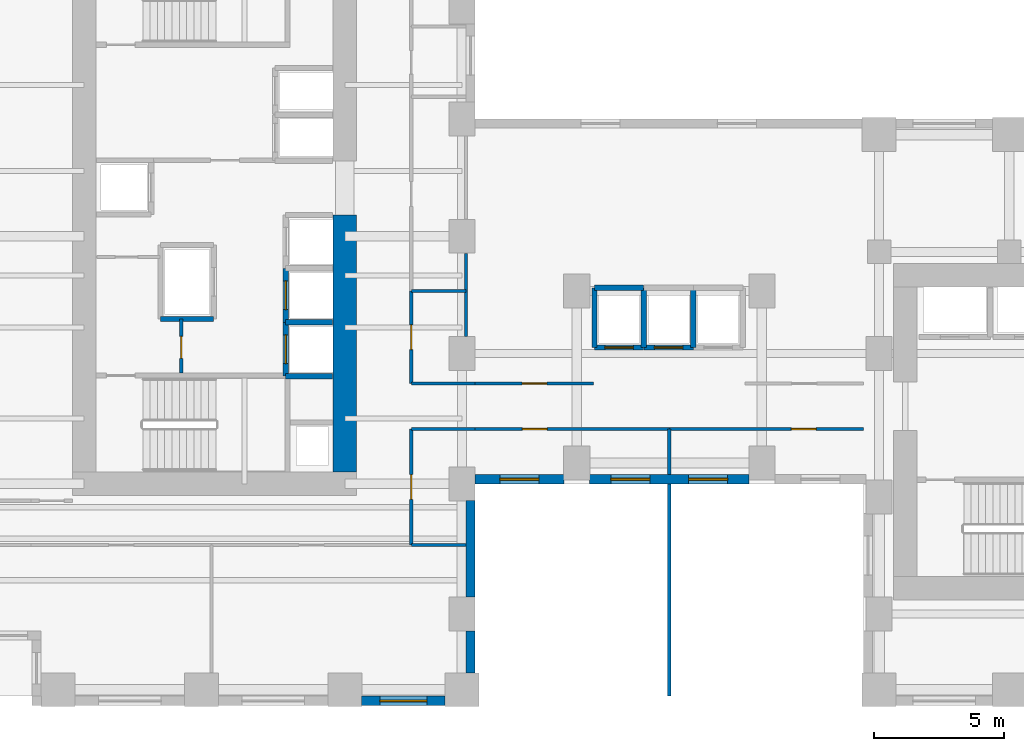
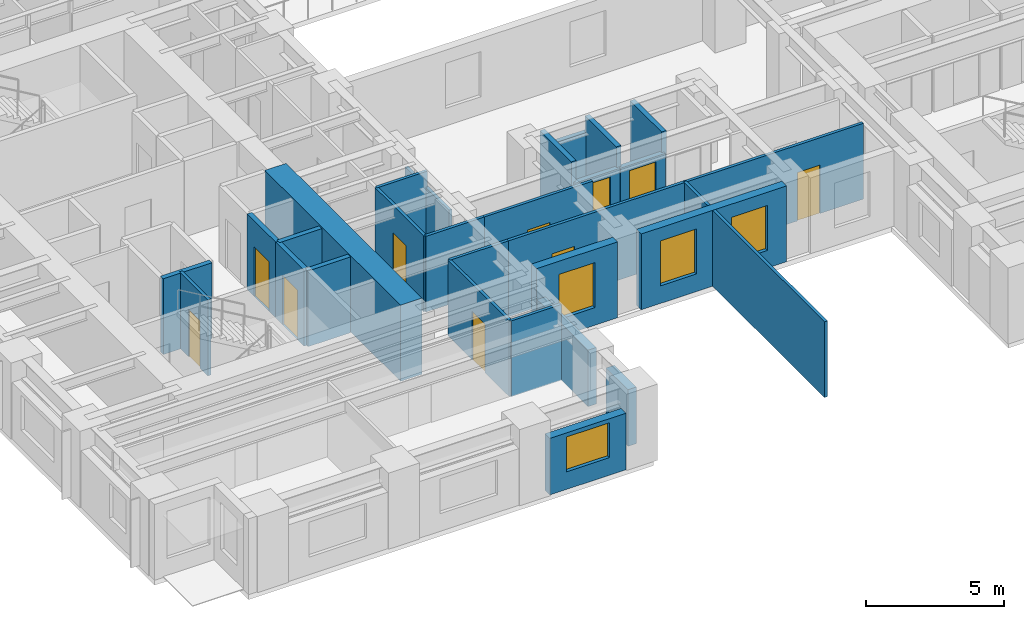
# One storey, part 4 of 11: 30 walls, 10 doors, 4 windows, 14 openings.
"""IFC4 building model written with IfcOpenShell, lengths in metres."""

from ifc_helpers import new_model, si_unit, direction, frame, frame_2d, origin, place, context, subcontext, project, spatial, rectangle, extrude, source, transform, mapped, material, layer, layer_set, type_object, element, fill, save


model = new_model("IFC4")

# Units and contexts
model_context = context("Model", 3, precision=1e-05, world=origin(), true_north=direction((0.0, 1.0)))
body_context = subcontext(model_context, "Body", "Model", "MODEL_VIEW")
ifc_project = project(units=[si_unit("LENGTHUNIT", "METRE"), si_unit("AREAUNIT", "SQUARE_METRE"), si_unit("VOLUMEUNIT", "CUBIC_METRE"), si_unit("PLANEANGLEUNIT", "RADIAN"), si_unit("MASSUNIT", "GRAM", prefix="KILO")], contexts=[model_context])

# Site, building, storey
site_placement = place(None, origin())
site = spatial("IfcSite", under=ifc_project, at=site_placement, CompositionType="ELEMENT")
building_placement = place(site_placement, origin())
building = spatial("IfcBuilding", under=site, at=building_placement, Name="Kharzan Plaza Tower", CompositionType="ELEMENT")
storey_placement = place(building_placement, frame((0.0, 0.0, 40.5)))
storey = spatial("IfcBuildingStorey", under=building, at=storey_placement, Name="L10", CompositionType="ELEMENT", Elevation=40.5)

# Wall, opening, window
ifc_material_1 = material(Name="Concrete C40/50", Category="concrete")
ifc_layer_1 = layer(ifc_material_1, 0.35009765625)
ifc_layer_set_1 = layer_set([ifc_layer_1], Name="Concrete C40/50")
wall_type_1 = type_object("IfcWallType", Name="WL-EXT-MAS-Z1", PredefinedType="SOLIDWALL", material=ifc_layer_set_1)
wall_1_placement = place(storey_placement, frame((15.14794921875, 0.175048828125, 0.0), z_axis=(0.0, 0.0, 1.0), x_axis=(1.0, 0.0, 0.0)))
wall_1 = element("IfcWall", 1, at=wall_1_placement, inside=storey, type_object=wall_type_1, Name="L10 Masonry-Frame Exterior Wall 25", PredefinedType="SOLIDWALL", context=body_context, shape_type="SweptSolid", body=[
    extrude(rectangle(XDim=3.2041015625, YDim=0.35009765625, at=frame_2d((1.60205078125, 0.0))), origin(), (0.0, 0.0, 1.0), 2.510009765625),
])
opening_1_placement = place(wall_1_placement, frame((0.701904296875, 0.0, 0.780029296875)))
opening_1 = element("IfcOpeningElement", 2, at=opening_1_placement, cuts=wall_1, Name="Opening W1", PredefinedType="OPENING", context=body_context, shape_type="SweptSolid", body=[
    extrude(rectangle(XDim=1.800048828125, YDim=1.550048828125, at=frame_2d((0.89990234375, 0.77490234375))), frame((0.0, 0.18505859375, 0.0), z_axis=(0.0, -1.0, 0.0), x_axis=(1.0, 0.0, 0.0)), (0.0, 0.0, 1.0), 0.3701171875),
])
ifc_material_2 = material(Name="Low-E Double Glazing", Category="glass")
window_type_1 = type_object("IfcWindowType", Name="WN-REC-1800x2100", PartitioningType="SINGLE_PANEL", PredefinedType="WINDOW", material=ifc_material_2)
shared_shape_1 = source(origin(), body_context, "Body", "SweptSolid", [
    extrude(rectangle(XDim=1.800048828125, YDim=1.550048828125, at=frame_2d((0.89990234375, 0.77490234375))), frame((0.0, 0.030029296875, 0.0), z_axis=(0.0, -1.0, 0.0), x_axis=(1.0, 0.0, 0.0)), (0.0, 0.0, 1.0), 0.06005859375),
])
window_1_placement = place(opening_1_placement, origin())
window_1 = element("IfcWindow", 3, at=window_1_placement, inside=storey, type_object=window_type_1, Name="L10 Recessed Solar-Control Window 25-1", OverallHeight=1.550048828125, OverallWidth=1.800048828125, PartitioningType="SINGLE_PANEL", PredefinedType="WINDOW", context=body_context, shape_type="MappedRepresentation", body=[
    mapped(shared_shape_1, transform((0.0, 0.0, 0.0), x_axis=(1.0, 0.0, 0.0), y_axis=(0.0, 1.0, 0.0), z_axis=(0.0, 0.0, 1.0))),
])
fill(opening_1, window_1)

wall_2_placement = place(storey_placement, frame((19.498046875, 8.675048828125, 0.0), z_axis=(0.0, 0.0, 1.0), x_axis=(1.0, 0.0, 0.0)))
wall_2 = element("IfcWall", 4, at=wall_2_placement, inside=storey, type_object=wall_type_1, Name="L10 Masonry-Frame Exterior Wall 28", PredefinedType="SOLIDWALL", context=body_context, shape_type="SweptSolid", body=[
    extrude(rectangle(XDim=3.404052734375, YDim=0.35009765625, at=frame_2d((1.7021484375, 0.0))), origin(), (0.0, 0.0, 1.0), 3.364990234375),
])
opening_2_placement = place(wall_2_placement, frame((0.951904296875, 0.0, 0.780029296875)))
opening_2 = element("IfcOpeningElement", 5, at=opening_2_placement, cuts=wall_2, Name="Opening W5", PredefinedType="OPENING", context=body_context, shape_type="SweptSolid", body=[
    extrude(rectangle(XDim=1.5, YDim=2.0, at=frame_2d((0.75, 1.0))), frame((0.0, 0.18505859375, 0.0), z_axis=(0.0, -1.0, 0.0), x_axis=(1.0, 0.0, 0.0)), (0.0, 0.0, 1.0), 0.3701171875),
])
window_type_2 = type_object("IfcWindowType", Name="WN-SLT-1500x2000", PartitioningType="SINGLE_PANEL", PredefinedType="WINDOW", material=ifc_material_2)
shared_shape_2 = source(origin(), body_context, "Body", "SweptSolid", [
    extrude(rectangle(XDim=1.5, YDim=2.0, at=frame_2d((0.75, 1.0))), frame((0.0, 0.030029296875, 0.0), z_axis=(0.0, -1.0, 0.0), x_axis=(1.0, 0.0, 0.0)), (0.0, 0.0, 1.0), 0.06005859375),
])
window_2_placement = place(opening_2_placement, origin())
window_2 = element("IfcWindow", 6, at=window_2_placement, inside=storey, type_object=window_type_2, Name="L10 Recessed Solar-Control Window 28-1", OverallHeight=2.0, OverallWidth=1.5, PartitioningType="SINGLE_PANEL", PredefinedType="WINDOW", context=body_context, shape_type="MappedRepresentation", body=[
    mapped(shared_shape_2, transform((0.0, 0.0, 0.0), x_axis=(1.0, 0.0, 0.0), y_axis=(0.0, 1.0, 0.0), z_axis=(0.0, 0.0, 1.0))),
])
fill(opening_2, window_2)

# Wall, openings, windows
wall_3_placement = place(storey_placement, frame((23.89794921875, 8.675048828125, 0.0), z_axis=(0.0, 0.0, 1.0), x_axis=(1.0, 0.0, 0.0)))
wall_3 = element("IfcWall", 7, at=wall_3_placement, inside=storey, type_object=wall_type_1, Name="L10 Masonry-Frame Exterior Wall 29", PredefinedType="SOLIDWALL", context=body_context, shape_type="SweptSolid", body=[
    extrude(rectangle(XDim=6.10400390625, YDim=0.35009765625, at=frame_2d((3.052001953125, 0.0))), origin(), (0.0, 0.0, 1.0), 3.364990234375),
])
opening_3_placement = place(wall_3_placement, frame((0.81103515625, 0.0, 0.780029296875)))
opening_3 = element("IfcOpeningElement", 8, at=opening_3_placement, cuts=wall_3, Name="Opening W5", PredefinedType="OPENING", context=body_context, shape_type="SweptSolid", body=[
    extrude(rectangle(XDim=1.5, YDim=2.0, at=frame_2d((0.75, 1.0))), frame((0.0, 0.18505859375, 0.0), z_axis=(0.0, -1.0, 0.0), x_axis=(1.0, 0.0, 0.0)), (0.0, 0.0, 1.0), 0.3701171875),
])
opening_4_placement = place(wall_3_placement, frame((3.79296875, 0.0, 0.780029296875)))
opening_4 = element("IfcOpeningElement", 9, at=opening_4_placement, cuts=wall_3, Name="Opening W5", PredefinedType="OPENING", context=body_context, shape_type="SweptSolid", body=[
    extrude(rectangle(XDim=1.5, YDim=2.0, at=frame_2d((0.75, 1.0))), frame((0.0, 0.18505859375, 0.0), z_axis=(0.0, -1.0, 0.0), x_axis=(1.0, 0.0, 0.0)), (0.0, 0.0, 1.0), 0.3701171875),
])
window_3_placement = place(opening_3_placement, origin())
window_3 = element("IfcWindow", 10, at=window_3_placement, inside=storey, type_object=window_type_2, Name="L10 Recessed Solar-Control Window 29-1", OverallHeight=2.0, OverallWidth=1.5, PartitioningType="SINGLE_PANEL", PredefinedType="WINDOW", context=body_context, shape_type="MappedRepresentation", body=[
    mapped(shared_shape_2, transform((0.0, 0.0, 0.0), x_axis=(1.0, 0.0, 0.0), y_axis=(0.0, 1.0, 0.0), z_axis=(0.0, 0.0, 1.0))),
])
fill(opening_3, window_3)
window_4_placement = place(opening_4_placement, origin())
window_4 = element("IfcWindow", 11, at=window_4_placement, inside=storey, type_object=window_type_2, Name="L10 Recessed Solar-Control Window 29-2", OverallHeight=2.0, OverallWidth=1.5, PartitioningType="SINGLE_PANEL", PredefinedType="WINDOW", context=body_context, shape_type="MappedRepresentation", body=[
    mapped(shared_shape_2, transform((0.0, 0.0, 0.0), x_axis=(1.0, 0.0, 0.0), y_axis=(0.0, 1.0, 0.0), z_axis=(0.0, 0.0, 1.0))),
])
fill(opening_4, window_4)

# Wall, opening, door
ifc_material_3 = material(Name="Fire-Rated Gypsum Board Partition", Category="gypsum")
ifc_layer_2 = layer(ifc_material_3, 0.125)
ifc_layer_set_2 = layer_set([ifc_layer_2], Name="Fire-Rated Gypsum Board Partition")
wall_type_2 = type_object("IfcWallType", Name="WL-INT-PART-125", PredefinedType="PARTITIONING", material=ifc_layer_set_2)
wall_4_placement = place(storey_placement, frame((8.219970703125, 12.75, 0.0), z_axis=(0.0, 0.0, 1.0), x_axis=(0.0, 1.0, 0.0)))
wall_4 = element("IfcWall", 12, at=wall_4_placement, inside=storey, type_object=wall_type_2, Name="L10 Interior Partition CA-K1E", PredefinedType="PARTITIONING", context=body_context, shape_type="SweptSolid", body=[
    extrude(rectangle(XDim=2.070068359375, YDim=0.125, at=frame_2d((1.03515625, 0.0))), origin(), (0.0, 0.0, 1.0), 3.364990234375),
])
opening_5_placement = place(wall_4_placement, frame((0.56005859375, 0.0, 0.0)))
opening_5 = element("IfcOpeningElement", 13, at=opening_5_placement, cuts=wall_4, Name="Opening RD1", PredefinedType="OPENING", context=body_context, shape_type="SweptSolid", body=[
    extrude(rectangle(XDim=0.85009765625, YDim=2.10009765625, at=frame_2d((0.425048828125, 1.050048828125))), frame((0.0, 0.072509765625, 0.0), z_axis=(0.0, -1.0, 0.0), x_axis=(1.0, 0.0, 0.0)), (0.0, 0.0, 1.0), 0.14501953125),
])
ifc_material_4 = material(Name="Powder-Coated Fire-Rated Steel", Category="steel")
door_type_1 = type_object("IfcDoorType", Name="DR-RISER-900", OperationType="NOTDEFINED", PredefinedType="DOOR", material=ifc_material_4)
shared_shape_3 = source(origin(), body_context, "Body", "SweptSolid", [
    extrude(rectangle(XDim=0.85009765625, YDim=2.10009765625, at=frame_2d((0.425048828125, 1.050048828125))), frame((0.0, 0.02490234375, 0.0), z_axis=(0.0, -1.0, 0.0), x_axis=(1.0, 0.0, 0.0)), (0.0, 0.0, 1.0), 0.050048828125),
])
door_1_placement = place(opening_5_placement, origin())
door_1 = element("IfcDoor", 14, at=door_1_placement, inside=storey, type_object=door_type_1, Name="L10 Core Service Store Door", OperationType="SINGLE_SWING_LEFT", OverallHeight=2.10009765625, OverallWidth=0.85009765625, PredefinedType="DOOR", context=body_context, shape_type="MappedRepresentation", body=[
    mapped(shared_shape_3, transform((0.0, 0.0, 0.0), x_axis=(1.0, 0.0, 0.0), y_axis=(0.0, 1.0, 0.0), z_axis=(0.0, 0.0, 1.0))),
])
fill(opening_5, door_1)

wall_5_placement = place(storey_placement, frame((17.050048828125, 12.35009765625, 0.0), z_axis=(0.0, 0.0, 1.0), x_axis=(0.0, 1.0, 0.0)))
wall_5 = element("IfcWall", 15, at=wall_5_placement, inside=storey, type_object=wall_type_2, Name="L10 Interior Partition SH-AEWN1", PredefinedType="PARTITIONING", context=body_context, shape_type="SweptSolid", body=[
    extrude(rectangle(XDim=3.5498046875, YDim=0.125, at=frame_2d((1.77490234375, 0.0))), origin(), (0.0, 0.0, 1.0), 3.364990234375),
])
opening_6_placement = place(wall_5_placement, frame((1.300048828125, 0.0, 0.0)))
opening_6 = element("IfcOpeningElement", 16, at=opening_6_placement, cuts=wall_5, Name="Opening OD1", PredefinedType="OPENING", context=body_context, shape_type="SweptSolid", body=[
    extrude(rectangle(XDim=0.949951171875, YDim=2.14990234375, at=frame_2d((0.47509765625, 1.074951171875))), frame((0.0, 0.072509765625, 0.0), z_axis=(0.0, -1.0, 0.0), x_axis=(1.0, 0.0, 0.0)), (0.0, 0.0, 1.0), 0.14501953125),
])
ifc_material_5 = material(Name="Acoustic Solid-Core Stained Oak", Category="timber")
door_type_2 = type_object("IfcDoorType", Name="DR-OFF-SINGLE", OperationType="NOTDEFINED", PredefinedType="DOOR", material=ifc_material_5)
shared_shape_4 = source(origin(), body_context, "Body", "SweptSolid", [
    extrude(rectangle(XDim=0.949951171875, YDim=2.14990234375, at=frame_2d((0.47509765625, 1.074951171875))), frame((0.0, 0.02490234375, 0.0), z_axis=(0.0, -1.0, 0.0), x_axis=(1.0, 0.0, 0.0)), (0.0, 0.0, 1.0), 0.050048828125),
])
door_2_placement = place(opening_6_placement, origin())
door_2 = element("IfcDoor", 17, at=door_2_placement, inside=storey, type_object=door_type_2, Name="L10 Slot Collaboration Door", OperationType="SINGLE_SWING_LEFT", OverallHeight=2.14990234375, OverallWidth=0.949951171875, PredefinedType="DOOR", context=body_context, shape_type="MappedRepresentation", body=[
    mapped(shared_shape_4, transform((0.0, 0.0, 0.0), x_axis=(1.0, 0.0, 0.0), y_axis=(0.0, 1.0, 0.0), z_axis=(0.0, 0.0, 1.0))),
])
fill(opening_6, door_2)

wall_6_placement = place(storey_placement, frame((17.050048828125, 6.14990234375, 0.0), z_axis=(0.0, 0.0, 1.0), x_axis=(0.0, 1.0, 0.0)))
wall_6 = element("IfcWall", 18, at=wall_6_placement, inside=storey, type_object=wall_type_2, Name="L10 Interior Partition SH-AEWS", PredefinedType="PARTITIONING", context=body_context, shape_type="SweptSolid", body=[
    extrude(rectangle(XDim=4.4501953125, YDim=0.125, at=frame_2d((2.22509765625, 0.0))), origin(), (0.0, 0.0, 1.0), 3.364990234375),
])
opening_7_placement = place(wall_6_placement, frame((1.75, 0.0, 0.0)))
opening_7 = element("IfcOpeningElement", 19, at=opening_7_placement, cuts=wall_6, Name="Opening OD1", PredefinedType="OPENING", context=body_context, shape_type="SweptSolid", body=[
    extrude(rectangle(XDim=0.949951171875, YDim=2.14990234375, at=frame_2d((0.47509765625, 1.074951171875))), frame((0.0, 0.072509765625, 0.0), z_axis=(0.0, -1.0, 0.0), x_axis=(1.0, 0.0, 0.0)), (0.0, 0.0, 1.0), 0.14501953125),
])
door_3_placement = place(opening_7_placement, origin())
door_3 = element("IfcDoor", 20, at=door_3_placement, inside=storey, type_object=door_type_2, Name="L10 Slot South Office Door", OperationType="SINGLE_SWING_RIGHT", OverallHeight=2.14990234375, OverallWidth=0.949951171875, PredefinedType="DOOR", context=body_context, shape_type="MappedRepresentation", body=[
    mapped(shared_shape_4, transform((0.0, 0.0, 0.0), x_axis=(1.0, 0.0, 0.0), y_axis=(0.0, 1.0, 0.0), z_axis=(0.0, 0.0, 1.0))),
])
fill(opening_7, door_3)

wall_7_placement = place(storey_placement, frame((19.5, 12.35009765625, 0.0), z_axis=(0.0, 0.0, 1.0), x_axis=(1.0, 0.0, 0.0)))
wall_7 = element("IfcWall", 21, at=wall_7_placement, inside=storey, type_object=wall_type_2, Name="L10 Interior Partition SH-SPNW1", PredefinedType="PARTITIONING", context=body_context, shape_type="SweptSolid", body=[
    extrude(rectangle(XDim=4.550048828125, YDim=0.125, at=frame_2d((2.27490234375, 0.0))), origin(), (0.0, 0.0, 1.0), 3.364990234375),
])
opening_8_placement = place(wall_7_placement, frame((1.800048828125, 0.0, 0.0)))
opening_8 = element("IfcOpeningElement", 22, at=opening_8_placement, cuts=wall_7, Name="Opening OD1", PredefinedType="OPENING", context=body_context, shape_type="SweptSolid", body=[
    extrude(rectangle(XDim=0.949951171875, YDim=2.14990234375, at=frame_2d((0.47509765625, 1.074951171875))), frame((0.0, 0.072509765625, 0.0), z_axis=(0.0, -1.0, 0.0), x_axis=(1.0, 0.0, 0.0)), (0.0, 0.0, 1.0), 0.14501953125),
])
door_4_placement = place(opening_8_placement, origin())
door_4 = element("IfcDoor", 23, at=door_4_placement, inside=storey, type_object=door_type_2, Name="L10 North-West Spine Door", OperationType="SINGLE_SWING_LEFT", OverallHeight=2.14990234375, OverallWidth=0.949951171875, PredefinedType="DOOR", context=body_context, shape_type="MappedRepresentation", body=[
    mapped(shared_shape_4, transform((0.0, 0.0, 0.0), x_axis=(1.0, 0.0, 0.0), y_axis=(0.0, 1.0, 0.0), z_axis=(0.0, 0.0, 1.0))),
])
fill(opening_8, door_4)

wall_8_placement = place(storey_placement, frame((19.5, 10.60009765625, 0.0), z_axis=(0.0, 0.0, 1.0), x_axis=(1.0, 0.0, 0.0)))
wall_8 = element("IfcWall", 24, at=wall_8_placement, inside=storey, type_object=wall_type_2, Name="L10 Interior Partition SH-SPS1", PredefinedType="PARTITIONING", context=body_context, shape_type="SweptSolid", body=[
    extrude(rectangle(XDim=7.449951171875, YDim=0.125, at=frame_2d((3.72509765625, 0.0))), origin(), (0.0, 0.0, 1.0), 3.364990234375),
])
opening_9_placement = place(wall_8_placement, frame((1.8173828125, 0.0, 0.0)))
opening_9 = element("IfcOpeningElement", 25, at=opening_9_placement, cuts=wall_8, Name="Opening OD1", PredefinedType="OPENING", context=body_context, shape_type="SweptSolid", body=[
    extrude(rectangle(XDim=0.949951171875, YDim=2.14990234375, at=frame_2d((0.47509765625, 1.074951171875))), frame((0.0, 0.072509765625, 0.0), z_axis=(0.0, -1.0, 0.0), x_axis=(1.0, 0.0, 0.0)), (0.0, 0.0, 1.0), 0.14501953125),
])
door_5_placement = place(opening_9_placement, origin())
door_5 = element("IfcDoor", 26, at=door_5_placement, inside=storey, type_object=door_type_2, Name="L10 South Spine West Door", OperationType="SINGLE_SWING_LEFT", OverallHeight=2.14990234375, OverallWidth=0.949951171875, PredefinedType="DOOR", context=body_context, shape_type="MappedRepresentation", body=[
    mapped(shared_shape_4, transform((0.0, 0.0, 0.0), x_axis=(1.0, 0.0, 0.0), y_axis=(0.0, 1.0, 0.0), z_axis=(0.0, 0.0, 1.0))),
])
fill(opening_9, door_5)

wall_9_placement = place(storey_placement, frame((26.949951171875, 10.60009765625, 0.0), z_axis=(0.0, 0.0, 1.0), x_axis=(1.0, 0.0, 0.0)))
wall_9 = element("IfcWall", 27, at=wall_9_placement, inside=storey, type_object=wall_type_2, Name="L10 Interior Partition SH-SPS2", PredefinedType="PARTITIONING", context=body_context, shape_type="SweptSolid", body=[
    extrude(rectangle(XDim=7.449951171875, YDim=0.125, at=frame_2d((3.72509765625, 0.0))), origin(), (0.0, 0.0, 1.0), 3.364990234375),
])
opening_10_placement = place(wall_9_placement, frame((4.6826171875, 0.0, 0.0)))
opening_10 = element("IfcOpeningElement", 28, at=opening_10_placement, cuts=wall_9, Name="Opening OD1", PredefinedType="OPENING", context=body_context, shape_type="SweptSolid", body=[
    extrude(rectangle(XDim=0.949951171875, YDim=2.14990234375, at=frame_2d((0.47509765625, 1.074951171875))), frame((0.0, 0.072509765625, 0.0), z_axis=(0.0, -1.0, 0.0), x_axis=(1.0, 0.0, 0.0)), (0.0, 0.0, 1.0), 0.14501953125),
])
door_6_placement = place(opening_10_placement, origin())
door_6 = element("IfcDoor", 29, at=door_6_placement, inside=storey, type_object=door_type_2, Name="L10 South Spine East Door", OperationType="SINGLE_SWING_RIGHT", OverallHeight=2.14990234375, OverallWidth=0.949951171875, PredefinedType="DOOR", context=body_context, shape_type="MappedRepresentation", body=[
    mapped(shared_shape_4, transform((0.0, 0.0, 0.0), x_axis=(1.0, 0.0, 0.0), y_axis=(0.0, 1.0, 0.0), z_axis=(0.0, 0.0, 1.0))),
])
fill(opening_10, door_6)

ifc_layer_3 = layer(ifc_material_1, 0.199951171875)
ifc_layer_set_3 = layer_set([ifc_layer_3], Name="Concrete C40/50")
wall_type_3 = type_object("IfcWallType", Name="WL-INT-SHAFT-200", PredefinedType="PARTITIONING", material=ifc_layer_set_3)
wall_10_placement = place(storey_placement, frame((12.22998046875, 12.6298828125, 0.0), z_axis=(0.0, 0.0, 1.0), x_axis=(0.0, 1.0, 0.0)))
wall_10 = element("IfcWall", 30, at=wall_10_placement, inside=storey, type_object=wall_type_3, Name="L10 Interior Partition SHF-PL-H1-W", PredefinedType="PARTITIONING", context=body_context, shape_type="SweptSolid", body=[
    extrude(rectangle(XDim=2.070068359375, YDim=0.199951171875, at=frame_2d((1.03515625, 0.0))), origin(), (0.0, 0.0, 1.0), 3.364990234375),
])
opening_11_placement = place(wall_10_placement, frame((0.485107421875, 0.0, 0.0)))
opening_11 = element("IfcOpeningElement", 31, at=opening_11_placement, cuts=wall_10, Name="Opening LD", PredefinedType="OPENING", context=body_context, shape_type="SweptSolid", body=[
    extrude(rectangle(XDim=1.10009765625, YDim=2.199951171875, at=frame_2d((0.550048828125, 1.10009765625))), frame((0.0, 0.10986328125, 0.0), z_axis=(0.0, -1.0, 0.0), x_axis=(1.0, 0.0, 0.0)), (0.0, 0.0, 1.0), 0.219970703125),
])
ifc_material_6 = material(Name="Brushed Stainless Steel", Category="steel")
door_type_3 = type_object("IfcDoorType", Name="DR-LIFT-SLIDE", OperationType="SLIDING_TO_LEFT", PredefinedType="DOOR", material=ifc_material_6)
shared_shape_5 = source(origin(), body_context, "Body", "SweptSolid", [
    extrude(rectangle(XDim=1.10009765625, YDim=2.199951171875, at=frame_2d((0.550048828125, 1.10009765625))), frame((0.0, 0.02490234375, 0.0), z_axis=(0.0, -1.0, 0.0), x_axis=(1.0, 0.0, 0.0)), (0.0, 0.0, 1.0), 0.050048828125),
])
door_7_placement = place(opening_11_placement, origin())
door_7 = element("IfcDoor", 32, at=door_7_placement, inside=storey, type_object=door_type_3, Name="L10 High-Rise Passenger Lift PL-H1 Sliding Landing Door", OperationType="SLIDING_TO_LEFT", OverallHeight=2.199951171875, OverallWidth=1.10009765625, PredefinedType="DOOR", context=body_context, shape_type="MappedRepresentation", body=[
    mapped(shared_shape_5, transform((0.0, 0.0, 0.0), x_axis=(1.0, 0.0, 0.0), y_axis=(0.0, 1.0, 0.0), z_axis=(0.0, 0.0, 1.0))),
])
fill(opening_11, door_7)

wall_11_placement = place(storey_placement, frame((12.22998046875, 14.699951171875, 0.0), z_axis=(0.0, 0.0, 1.0), x_axis=(0.0, 1.0, 0.0)))
wall_11 = element("IfcWall", 33, at=wall_11_placement, inside=storey, type_object=wall_type_3, Name="L10 Interior Partition SHF-PL-H2-W", PredefinedType="PARTITIONING", context=body_context, shape_type="SweptSolid", body=[
    extrude(rectangle(XDim=2.070068359375, YDim=0.199951171875, at=frame_2d((1.03515625, 0.0))), origin(), (0.0, 0.0, 1.0), 3.364990234375),
])
opening_12_placement = place(wall_11_placement, frame((0.485107421875, 0.0, 0.0)))
opening_12 = element("IfcOpeningElement", 34, at=opening_12_placement, cuts=wall_11, Name="Opening LD", PredefinedType="OPENING", context=body_context, shape_type="SweptSolid", body=[
    extrude(rectangle(XDim=1.10009765625, YDim=2.199951171875, at=frame_2d((0.550048828125, 1.10009765625))), frame((0.0, 0.10986328125, 0.0), z_axis=(0.0, -1.0, 0.0), x_axis=(1.0, 0.0, 0.0)), (0.0, 0.0, 1.0), 0.219970703125),
])
door_8_placement = place(opening_12_placement, origin())
door_8 = element("IfcDoor", 35, at=door_8_placement, inside=storey, type_object=door_type_3, Name="L10 High-Rise Passenger Lift PL-H2 Sliding Landing Door", OperationType="SLIDING_TO_LEFT", OverallHeight=2.199951171875, OverallWidth=1.10009765625, PredefinedType="DOOR", context=body_context, shape_type="MappedRepresentation", body=[
    mapped(shared_shape_5, transform((0.0, 0.0, 0.0), x_axis=(1.0, 0.0, 0.0), y_axis=(0.0, 1.0, 0.0), z_axis=(0.0, 0.0, 1.0))),
])
fill(opening_12, door_8)

wall_12_placement = place(storey_placement, frame((24.080078125, 13.72998046875, 0.0), z_axis=(0.0, 0.0, 1.0), x_axis=(1.0, 0.0, 0.0)))
wall_12 = element("IfcWall", 36, at=wall_12_placement, inside=storey, type_object=wall_type_3, Name="L10 Interior Partition SHF-PL-M1-S", PredefinedType="PARTITIONING", context=body_context, shape_type="SweptSolid", body=[
    extrude(rectangle(XDim=1.889892578125, YDim=0.199951171875, at=frame_2d((0.94482421875, 0.0))), origin(), (0.0, 0.0, 1.0), 2.446044921875),
])
opening_13_placement = place(wall_12_placement, frame((0.39501953125, 0.0, 0.0)))
opening_13 = element("IfcOpeningElement", 37, at=opening_13_placement, cuts=wall_12, Name="Opening LD", PredefinedType="OPENING", context=body_context, shape_type="SweptSolid", body=[
    extrude(rectangle(XDim=1.10009765625, YDim=2.199951171875, at=frame_2d((0.550048828125, 1.10009765625))), frame((0.0, 0.10986328125, 0.0), z_axis=(0.0, -1.0, 0.0), x_axis=(1.0, 0.0, 0.0)), (0.0, 0.0, 1.0), 0.219970703125),
])
door_9_placement = place(opening_13_placement, origin())
door_9 = element("IfcDoor", 38, at=door_9_placement, inside=storey, type_object=door_type_3, Name="L10 Mid-Rise Passenger Lift PL-M1 Sliding Landing Door", OperationType="SLIDING_TO_LEFT", OverallHeight=2.199951171875, OverallWidth=1.10009765625, PredefinedType="DOOR", context=body_context, shape_type="MappedRepresentation", body=[
    mapped(shared_shape_5, transform((0.0, 0.0, 0.0), x_axis=(1.0, 0.0, 0.0), y_axis=(0.0, 1.0, 0.0), z_axis=(0.0, 0.0, 1.0))),
])
fill(opening_13, door_9)

wall_13_placement = place(storey_placement, frame((25.97998046875, 13.72998046875, 0.0), z_axis=(0.0, 0.0, 1.0), x_axis=(1.0, 0.0, 0.0)))
wall_13 = element("IfcWall", 39, at=wall_13_placement, inside=storey, type_object=wall_type_3, Name="L10 Interior Partition SHF-PL-M2-S", PredefinedType="PARTITIONING", context=body_context, shape_type="SweptSolid", body=[
    extrude(rectangle(XDim=1.89013671875, YDim=0.199951171875, at=frame_2d((0.945068359375, 0.0))), origin(), (0.0, 0.0, 1.0), 2.446044921875),
])
opening_14_placement = place(wall_13_placement, frame((0.39501953125, 0.0, 0.0)))
opening_14 = element("IfcOpeningElement", 40, at=opening_14_placement, cuts=wall_13, Name="Opening LD", PredefinedType="OPENING", context=body_context, shape_type="SweptSolid", body=[
    extrude(rectangle(XDim=1.10009765625, YDim=2.199951171875, at=frame_2d((0.550048828125, 1.10009765625))), frame((0.0, 0.10986328125, 0.0), z_axis=(0.0, -1.0, 0.0), x_axis=(1.0, 0.0, 0.0)), (0.0, 0.0, 1.0), 0.219970703125),
])
door_10_placement = place(opening_14_placement, origin())
door_10 = element("IfcDoor", 41, at=door_10_placement, inside=storey, type_object=door_type_3, Name="L10 Mid-Rise Passenger Lift PL-M2 Sliding Landing Door", OperationType="SLIDING_TO_LEFT", OverallHeight=2.199951171875, OverallWidth=1.10009765625, PredefinedType="DOOR", context=body_context, shape_type="MappedRepresentation", body=[
    mapped(shared_shape_5, transform((0.0, 0.0, 0.0), x_axis=(1.0, 0.0, 0.0), y_axis=(0.0, 1.0, 0.0), z_axis=(0.0, 0.0, 1.0))),
])
fill(opening_14, door_10)

# Walls
ifc_material_7 = material(Name="Concrete C60/75", Category="concrete")
ifc_layer_4 = layer(ifc_material_7, 0.89990234375)
ifc_layer_set_4 = layer_set([ifc_layer_4], Name="Concrete C60/75")
wall_type_4 = type_object("IfcWallType", Name="WL-CORE-900", PredefinedType="SHEAR", material=ifc_layer_set_4)
shared_shape_6 = source(origin(), body_context, "Body", "SweptSolid", [
    extrude(rectangle(XDim=9.8701171875, YDim=0.89990234375, at=frame_2d((4.93505859375, 0.0))), origin(), (0.0, 0.0, 1.0), 3.3798828125),
])
wall_14_placement = place(storey_placement, frame((14.5, 8.949951171875, 0.0), z_axis=(0.0, 0.0, 1.0), x_axis=(0.0, 1.0, 0.0)))
element("IfcWall", 42, at=wall_14_placement, inside=storey, type_object=wall_type_4, Name="L10 CORE-A east shear pier 1", PredefinedType="SHEAR", context=body_context, shape_type="MappedRepresentation", body=[
    mapped(shared_shape_6, transform((0.0, 0.0, 0.0), x_axis=(1.0, 0.0, 0.0), y_axis=(0.0, 1.0, 0.0), z_axis=(0.0, 0.0, 1.0))),
])
shared_shape_7 = source(origin(), body_context, "Body", "SweptSolid", [
    extrude(rectangle(XDim=1.60400390625, YDim=0.35009765625, at=frame_2d((0.802001953125, 0.0))), origin(), (0.0, 0.0, 1.0), 2.510009765625),
])
wall_15_placement = place(storey_placement, frame((19.324951171875, 1.248046875, 0.0), z_axis=(0.0, 0.0, 1.0), x_axis=(0.0, 1.0, 0.0)))
element("IfcWall", 43, at=wall_15_placement, inside=storey, type_object=wall_type_1, Name="L10 Masonry-Frame Exterior Wall 26", PredefinedType="SOLIDWALL", context=body_context, shape_type="MappedRepresentation", body=[
    mapped(shared_shape_7, transform((0.0, 0.0, 0.0), x_axis=(1.0, 0.0, 0.0), y_axis=(0.0, 1.0, 0.0), z_axis=(0.0, 0.0, 1.0))),
])
shared_shape_8 = source(origin(), body_context, "Body", "SweptSolid", [
    extrude(rectangle(XDim=3.7041015625, YDim=0.35009765625, at=frame_2d((1.85205078125, 0.0))), origin(), (0.0, 0.0, 1.0), 2.510009765625),
])
wall_16_placement = place(storey_placement, frame((19.324951171875, 4.14794921875, 0.0), z_axis=(0.0, 0.0, 1.0), x_axis=(0.0, 1.0, 0.0)))
element("IfcWall", 44, at=wall_16_placement, inside=storey, type_object=wall_type_1, Name="L10 Masonry-Frame Exterior Wall 27", PredefinedType="SOLIDWALL", context=body_context, shape_type="MappedRepresentation", body=[
    mapped(shared_shape_8, transform((0.0, 0.0, 0.0), x_axis=(1.0, 0.0, 0.0), y_axis=(0.0, 1.0, 0.0), z_axis=(0.0, 0.0, 1.0))),
])
shared_shape_9 = source(origin(), body_context, "Body", "SweptSolid", [
    extrude(rectangle(XDim=3.18017578125, YDim=0.125, at=frame_2d((1.590087890625, 0.0))), origin(), (0.0, 0.0, 1.0), 2.669921875),
])
wall_17_placement = place(storey_placement, frame((19.14990234375, 14.159912109375, 0.0), z_axis=(0.0, 0.0, 1.0), x_axis=(0.0, 1.0, 0.0)))
element("IfcWall", 45, at=wall_17_placement, inside=storey, type_object=wall_type_2, Name="L10 Interior Partition SH-AEN-DIV-S1", PredefinedType="PARTITIONING", context=body_context, shape_type="MappedRepresentation", body=[
    mapped(shared_shape_9, transform((0.0, 0.0, 0.0), x_axis=(1.0, 0.0, 0.0), y_axis=(0.0, 1.0, 0.0), z_axis=(0.0, 0.0, 1.0))),
])
shared_shape_10 = source(origin(), body_context, "Body", "SweptSolid", [
    extrude(rectangle(XDim=1.7900390625, YDim=0.199951171875, at=frame_2d((0.89501953125, 0.0))), origin(), (0.0, 0.0, 1.0), 3.364990234375),
])
for number, where, z_axis, x_axis, name in (
    (46, (12.22998046875, 14.699951171875, 0.0), (0.0, 0.0, 1.0), (1.0, 0.0, 0.0), "L10 Interior Partition SHF-PL-H1-N"),
    (47, (12.22998046875, 12.6298828125, 0.0), (0.0, 0.0, 1.0), (1.0, 0.0, 0.0), "L10 Interior Partition SHF-PL-H1-S"),
):
    element("IfcWall", number, at=place(storey_placement, frame(where, z_axis=z_axis, x_axis=x_axis)), inside=storey, type_object=wall_type_3, Name=name, PredefinedType="PARTITIONING", context=body_context, shape_type="MappedRepresentation", body=[
        mapped(shared_shape_10, transform((0.0, 0.0, 0.0), x_axis=(1.0, 0.0, 0.0), y_axis=(0.0, 1.0, 0.0), z_axis=(0.0, 0.0, 1.0))),
    ])
shared_shape_11 = source(origin(), body_context, "Body", "SweptSolid", [
    extrude(rectangle(XDim=2.2900390625, YDim=0.199951171875, at=frame_2d((1.14501953125, 0.0))), origin(), (0.0, 0.0, 1.0), 3.364990234375),
])
for number, where, z_axis, x_axis, name in (
    (48, (25.969970703125, 13.72998046875, 0.0), (0.0, 0.0, 1.0), (0.0, 1.0, 0.0), "L10 Interior Partition SHF-PL-M1-E"),
    (49, (24.080078125, 13.72998046875, 0.0), (0.0, 0.0, 1.0), (0.0, 1.0, 0.0), "L10 Interior Partition SHF-PL-M1-W"),
    (50, (27.8701171875, 13.72998046875, 0.0), (0.0, 0.0, 1.0), (0.0, 1.0, 0.0), "L10 Interior Partition SHF-PL-M2-E"),
):
    element("IfcWall", number, at=place(storey_placement, frame(where, z_axis=z_axis, x_axis=x_axis)), inside=storey, type_object=wall_type_3, Name=name, PredefinedType="PARTITIONING", context=body_context, shape_type="MappedRepresentation", body=[
        mapped(shared_shape_11, transform((0.0, 0.0, 0.0), x_axis=(1.0, 0.0, 0.0), y_axis=(0.0, 1.0, 0.0), z_axis=(0.0, 0.0, 1.0))),
    ])
shared_shape_12 = source(origin(), body_context, "Body", "SweptSolid", [
    extrude(rectangle(XDim=1.889892578125, YDim=0.199951171875, at=frame_2d((0.94482421875, 0.0))), origin(), (0.0, 0.0, 1.0), 2.669921875),
])
wall_18_placement = place(storey_placement, frame((24.080078125, 16.02001953125, 0.0), z_axis=(0.0, 0.0, 1.0), x_axis=(1.0, 0.0, 0.0)))
element("IfcWall", 51, at=wall_18_placement, inside=storey, type_object=wall_type_3, Name="L10 Interior Partition SHF-PL-M1-N", PredefinedType="PARTITIONING", context=body_context, shape_type="MappedRepresentation", body=[
    mapped(shared_shape_12, transform((0.0, 0.0, 0.0), x_axis=(1.0, 0.0, 0.0), y_axis=(0.0, 1.0, 0.0), z_axis=(0.0, 0.0, 1.0))),
])
shared_shape_13 = source(origin(), body_context, "Body", "SweptSolid", [
    extrude(rectangle(XDim=2.0400390625, YDim=0.199951171875, at=frame_2d((1.02001953125, 0.0))), origin(), (0.0, 0.0, 1.0), 3.364990234375),
])
wall_19_placement = place(storey_placement, frame((7.429931640625, 14.830078125, 0.0), z_axis=(0.0, 0.0, 1.0), x_axis=(1.0, 0.0, 0.0)))
element("IfcWall", 52, at=wall_19_placement, inside=storey, type_object=wall_type_3, Name="L10 Interior Partition SHF-SVL-1-S", PredefinedType="PARTITIONING", context=body_context, shape_type="MappedRepresentation", body=[
    mapped(shared_shape_13, transform((0.0, 0.0, 0.0), x_axis=(1.0, 0.0, 0.0), y_axis=(0.0, 1.0, 0.0), z_axis=(0.0, 0.0, 1.0))),
])
shared_shape_14 = source(origin(), body_context, "Body", "SweptSolid", [
    extrude(rectangle(XDim=2.097900390625, YDim=0.125, at=frame_2d((1.048828125, 0.0))), origin(), (0.0, 0.0, 1.0), 3.364990234375),
])
wall_20_placement = place(storey_placement, frame((17.050048828125, 6.14990234375, 0.0), z_axis=(0.0, 0.0, 1.0), x_axis=(1.0, 0.0, 0.0)))
element("IfcWall", 53, at=wall_20_placement, inside=storey, type_object=wall_type_2, Name="L10 Interior Partition SH-SSE-2", PredefinedType="PARTITIONING", context=body_context, shape_type="MappedRepresentation", body=[
    mapped(shared_shape_14, transform((0.0, 0.0, 0.0), x_axis=(1.0, 0.0, 0.0), y_axis=(0.0, 1.0, 0.0), z_axis=(0.0, 0.0, 1.0))),
])
shared_shape_15 = source(origin(), body_context, "Body", "SweptSolid", [
    extrude(rectangle(XDim=2.449951171875, YDim=0.125, at=frame_2d((1.22509765625, 0.0))), origin(), (0.0, 0.0, 1.0), 3.364990234375),
])
for number, where, z_axis, x_axis, name in (
    (54, (17.050048828125, 12.35009765625, 0.0), (0.0, 0.0, 1.0), (1.0, 0.0, 0.0), "L10 Interior Partition SH-SPNW0"),
    (55, (17.050048828125, 10.60009765625, 0.0), (0.0, 0.0, 1.0), (1.0, 0.0, 0.0), "L10 Interior Partition SH-SPS0"),
):
    element("IfcWall", number, at=place(storey_placement, frame(where, z_axis=z_axis, x_axis=x_axis)), inside=storey, type_object=wall_type_2, Name=name, PredefinedType="PARTITIONING", context=body_context, shape_type="MappedRepresentation", body=[
        mapped(shared_shape_15, transform((0.0, 0.0, 0.0), x_axis=(1.0, 0.0, 0.0), y_axis=(0.0, 1.0, 0.0), z_axis=(0.0, 0.0, 1.0))),
    ])
shared_shape_16 = source(origin(), body_context, "Body", "SweptSolid", [
    extrude(rectangle(XDim=8.14794921875, YDim=0.125, at=frame_2d((4.073974609375, 0.0))), origin(), (0.0, 0.0, 1.0), 3.364990234375),
])
wall_21_placement = place(storey_placement, frame((26.949951171875, 0.35009765625, 0.0), z_axis=(0.0, 0.0, 1.0), x_axis=(0.0, 1.0, 0.0)))
element("IfcWall", 56, at=wall_21_placement, inside=storey, type_object=wall_type_2, Name="L10 Interior Partition SH-SPSV1-S1", PredefinedType="PARTITIONING", context=body_context, shape_type="MappedRepresentation", body=[
    mapped(shared_shape_16, transform((0.0, 0.0, 0.0), x_axis=(1.0, 0.0, 0.0), y_axis=(0.0, 1.0, 0.0), z_axis=(0.0, 0.0, 1.0))),
])
shared_shape_17 = source(origin(), body_context, "Body", "SweptSolid", [
    extrude(rectangle(XDim=1.748046875, YDim=0.125, at=frame_2d((0.8740234375, 0.0))), origin(), (0.0, 0.0, 1.0), 3.364990234375),
])
wall_22_placement = place(storey_placement, frame((26.949951171875, 8.85205078125, 0.0), z_axis=(0.0, 0.0, 1.0), x_axis=(0.0, 1.0, 0.0)))
element("IfcWall", 57, at=wall_22_placement, inside=storey, type_object=wall_type_2, Name="L10 Interior Partition SH-SPSV1-S2", PredefinedType="PARTITIONING", context=body_context, shape_type="MappedRepresentation", body=[
    mapped(shared_shape_17, transform((0.0, 0.0, 0.0), x_axis=(1.0, 0.0, 0.0), y_axis=(0.0, 1.0, 0.0), z_axis=(0.0, 0.0, 1.0))),
])
shared_shape_18 = source(origin(), body_context, "Body", "SweptSolid", [
    extrude(rectangle(XDim=2.099853515625, YDim=0.125, at=frame_2d((1.0498046875, 0.0))), origin(), (0.0, 0.0, 1.0), 3.364990234375),
])
wall_23_placement = place(storey_placement, frame((17.050048828125, 15.89990234375, 0.0), z_axis=(0.0, 0.0, 1.0), x_axis=(1.0, 0.0, 0.0)))
element("IfcWall", 58, at=wall_23_placement, inside=storey, type_object=wall_type_2, Name="L10 Interior Partition SH-AEH-159", PredefinedType="PARTITIONING", context=body_context, shape_type="MappedRepresentation", body=[
    mapped(shared_shape_18, transform((0.0, 0.0, 0.0), x_axis=(1.0, 0.0, 0.0), y_axis=(0.0, 1.0, 0.0), z_axis=(0.0, 0.0, 1.0))),
])

save(model, "model.ifc")
